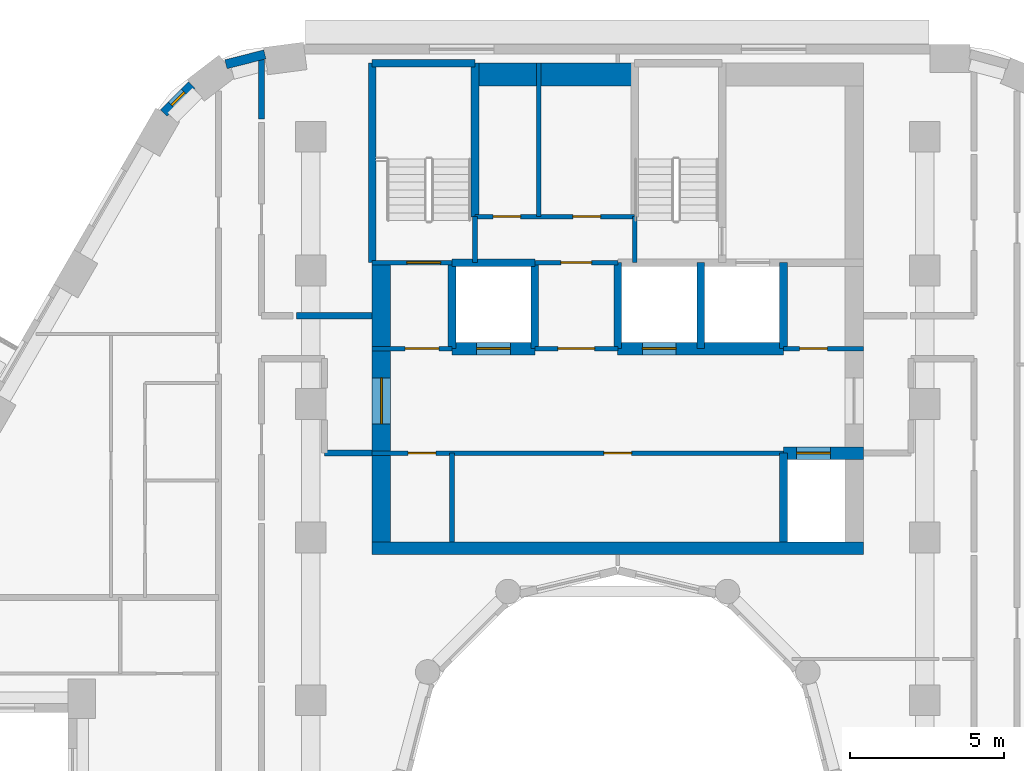
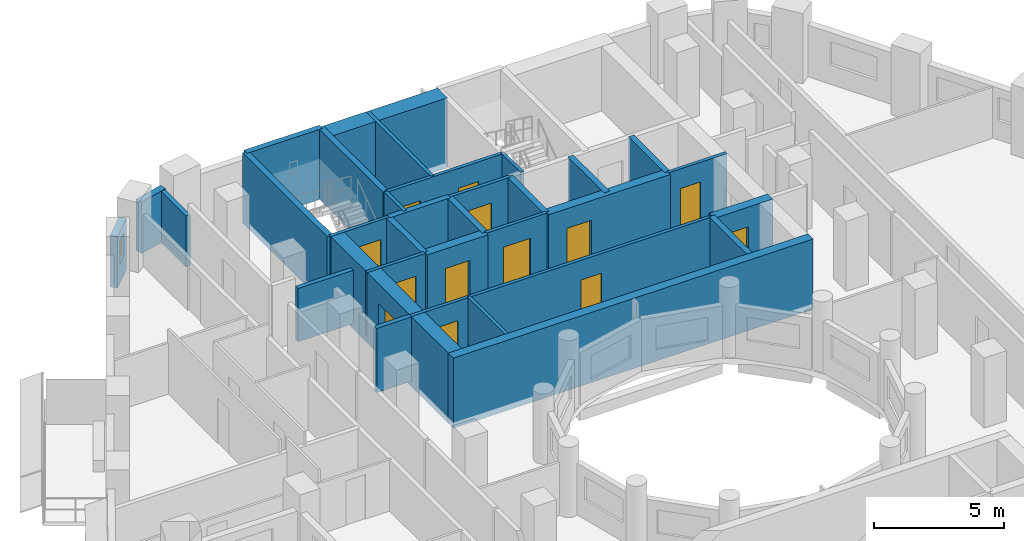
# One storey, part 7 of 13: 32 walls, 13 doors, 1 window, 14 openings.
"""IFC4 building model written with IfcOpenShell, lengths in metres."""

from ifc_helpers import new_model, si_unit, direction, frame, frame_2d, origin, place, context, subcontext, project, spatial, rectangle, extrude, material, layer, layer_set, type_object, element, fill, save


model = new_model("IFC4")

# Units and contexts
model_context = context("Model", 3, precision=1e-05, world=origin(), true_north=direction((0.0, 1.0)))
body_context = subcontext(model_context, "Body", "Model", "MODEL_VIEW")
ifc_project = project(units=[si_unit("LENGTHUNIT", "METRE"), si_unit("AREAUNIT", "SQUARE_METRE"), si_unit("VOLUMEUNIT", "CUBIC_METRE"), si_unit("PLANEANGLEUNIT", "RADIAN"), si_unit("MASSUNIT", "GRAM", prefix="KILO")], contexts=[model_context])

# Site, building, storey
site_placement = place(None, origin())
site = spatial("IfcSite", under=ifc_project, at=site_placement, CompositionType="ELEMENT")
building_placement = place(site_placement, origin())
building = spatial("IfcBuilding", under=site, at=building_placement, Name="Nakaniwa Court", CompositionType="ELEMENT")
storey_placement = place(building_placement, frame((0.0, 0.0, 133.800048828125)))
storey = spatial("IfcBuildingStorey", under=building, at=storey_placement, Name="L34", CompositionType="ELEMENT", Elevation=133.800048828125)

# Walls
ifc_material_1 = material(Name="Acoustic double stud partition")
ifc_layer_1 = layer(ifc_material_1, 0.199951171875)
ifc_layer_set_1 = layer_set([ifc_layer_1], Name="Acoustic double stud partition")
wall_type_1 = type_object("IfcWallType", Name="Acoustic double stud partition 200", PredefinedType="PARTITIONING", material=ifc_layer_set_1)
wall_1_placement = place(storey_placement, frame((70.449951171875, 90.699951171875, 0.0), z_axis=(0.0, 0.0, 1.0), x_axis=(1.0, 0.0, 0.0)))
element("IfcWall", 1, at=wall_1_placement, inside=storey, type_object=wall_type_1, Name="Partition PW-088", PredefinedType="PARTITIONING", context=body_context, shape_type="SweptSolid", body=[
    extrude(rectangle(XDim=1.550048828125, YDim=0.199951171875, at=frame_2d((0.77490234375, 0.0))), origin(), (0.0, 0.0, 1.0), 3.02490234375),
])
wall_2_placement = place(storey_placement, frame((69.537109375, 95.175048828125, 0.0), z_axis=(0.0, 0.0, 1.0), x_axis=(1.0, 0.0, 0.0)))
element("IfcWall", 2, at=wall_2_placement, inside=storey, type_object=wall_type_1, Name="Partition PW-091", PredefinedType="PARTITIONING", context=body_context, shape_type="SweptSolid", body=[
    extrude(rectangle(XDim=2.462890625, YDim=0.199951171875, at=frame_2d((1.2314453125, 0.0))), origin(), (0.0, 0.0, 1.0), 2.5048828125),
])
wall_3_placement = place(storey_placement, frame((68.39990234375, 101.5771484375, 0.0), z_axis=(0.0, 0.0, 1.0), x_axis=(0.0, 1.0, 0.0)))
element("IfcWall", 3, at=wall_3_placement, inside=storey, type_object=wall_type_1, Name="Partition PW-102", PredefinedType="PARTITIONING", context=body_context, shape_type="SweptSolid", body=[
    extrude(rectangle(XDim=2.02197265625, YDim=0.199951171875, at=frame_2d((1.010986328125, 0.0))), origin(), (0.0, 0.0, 1.0), 2.405029296875),
])
ifc_material_2 = material(Name="Charcoal ceramic cladding")
ifc_layer_2 = layer(ifc_material_2, 0.02, Name="Ceramic cladding")
ifc_material_3 = material(Name="Ventilated air cavity")
ifc_layer_3 = layer(ifc_material_3, 0.04, ventilated=True, Name="Ventilated cavity")
ifc_material_4 = material(Name="Mineral wool insulation")
ifc_layer_4 = layer(ifc_material_4, 0.1, Name="Insulation")
ifc_material_5 = material(Name="Cement bonded sheathing board")
ifc_layer_5 = layer(ifc_material_5, 0.012, Name="Sheathing")
ifc_material_6 = material(Name="Cold-formed galvanised stud frame with mineral wool infill")
ifc_layer_6 = layer(ifc_material_6, 0.1, Name="Stud frame")
ifc_material_7 = material(Name="Fire-rated gypsum plasterboard lining")
ifc_layer_7 = layer(ifc_material_7, 0.028, Name="Lining")
ifc_layer_set_2 = layer_set([ifc_layer_2, ifc_layer_3, ifc_layer_4, ifc_layer_5, ifc_layer_6, ifc_layer_7], Name="Charcoal ceramic faced external wall system")
wall_type_2 = type_object("IfcWallType", Name="Black ceramic faced external wall 300", PredefinedType="SOLIDWALL", material=ifc_layer_set_2)
wall_4_placement = place(storey_placement, frame((68.506103515625, 103.68310546875, 0.0), z_axis=(0.0, 0.0, 1.0), x_axis=(-0.96924493129, -0.246098076322, 0.0)))
element("IfcWall", 4, at=wall_4_placement, inside=storey, type_object=wall_type_2, Name="L34 external wall 09", PredefinedType="SOLIDWALL", context=body_context, shape_type="SweptSolid", body=[
    extrude(rectangle(XDim=1.305419921875, YDim=0.300048828125, at=frame_2d((0.65283203125, 0.0))), origin(), (0.0, 0.0, 1.0), 2.425048828125),
])

# Wall, opening, window
wall_5_placement = place(storey_placement, frame((66.12890625, 102.68798828125, 0.0), z_axis=(0.0, 0.0, 1.0), x_axis=(-0.70881270082, -0.705396735997, 0.0)))
wall_5 = element("IfcWall", 5, at=wall_5_placement, inside=storey, type_object=wall_type_2, Name="L34 external wall 10", PredefinedType="SOLIDWALL", context=body_context, shape_type="SweptSolid", body=[
    extrude(rectangle(XDim=1.286376953125, YDim=0.300048828125, at=frame_2d((0.64306640625, 0.0))), origin(), (0.0, 0.0, 1.0), 2.425048828125),
])
opening_1_placement = place(wall_5_placement, frame((0.3330078125, 0.0, 0.89990234375)))
opening_1 = element("IfcOpeningElement", 6, at=opening_1_placement, cuts=wall_5, Name="Opening W8.11", PredefinedType="OPENING", context=body_context, shape_type="SweptSolid", body=[
    extrude(rectangle(XDim=0.60009765625, YDim=1.10009765625, at=frame_2d((0.300048828125, 0.550048828125))), frame((0.0, 0.159912109375, 0.0), z_axis=(0.0, -1.0, 0.0), x_axis=(1.0, 0.0, 0.0)), (0.0, 0.0, 1.0), 0.320068359375),
])
ifc_material_8 = material(Name="Black anodised aluminium frame with dark low-E laminated double glazing", Category="aluminium")
window_type = type_object("IfcWindowType", Name="Dark glass window 600x1100 sill 900", PartitioningType="SINGLE_PANEL", PredefinedType="WINDOW", material=ifc_material_8)
window_placement = place(opening_1_placement, origin())
window = element("IfcWindow", 7, at=window_placement, inside=storey, type_object=window_type, Name="L34 habitable room window 10-0", OverallHeight=1.10009765625, OverallWidth=0.60009765625, PartitioningType="SINGLE_PANEL", PredefinedType="WINDOW", context=body_context, shape_type="SweptSolid", body=[
    extrude(rectangle(XDim=0.60009765625, YDim=1.10009765625, at=frame_2d((0.300048828125, 0.550048828125))), frame((0.0, 0.030029296875, 0.0), z_axis=(0.0, -1.0, 0.0), x_axis=(1.0, 0.0, 0.0)), (0.0, 0.0, 1.0), 0.06005859375),
])
fill(opening_1, window)

# Wall
ifc_material_9 = material(Name="Blockwork partition", Category="masonry")
ifc_layer_8 = layer(ifc_material_9, 0.14990234375)
ifc_layer_set_3 = layer_set([ifc_layer_8], Name="Blockwork partition")
wall_type_3 = type_object("IfcWallType", Name="Blockwork partition 150", PredefinedType="PARTITIONING", material=ifc_layer_set_3)
wall_6_placement = place(storey_placement, frame((74.60009765625, 87.800048828125, 0.0), z_axis=(0.0, 0.0, 1.0), x_axis=(0.0, 1.0, 0.0)))
element("IfcWall", 8, at=wall_6_placement, inside=storey, type_object=wall_type_3, Name="Partition PW-001", PredefinedType="PARTITIONING", context=body_context, shape_type="SweptSolid", body=[
    extrude(rectangle(XDim=2.89990234375, YDim=0.14990234375, at=frame_2d((1.449951171875, 0.0))), origin(), (0.0, 0.0, 1.0), 3.02490234375),
])

# Wall, openings, doors
wall_7_placement = place(storey_placement, frame((85.39990234375, 90.699951171875, 0.0), z_axis=(0.0, 0.0, 1.0), x_axis=(-1.0, 0.0, 0.0)))
wall_7 = element("IfcWall", 9, at=wall_7_placement, inside=storey, type_object=wall_type_3, Name="Partition PW-002", PredefinedType="PARTITIONING", context=body_context, shape_type="SweptSolid", body=[
    extrude(rectangle(XDim=13.39990234375, YDim=0.14990234375, at=frame_2d((6.699951171875, 0.0))), origin(), (0.0, 0.0, 1.0), 3.02490234375),
])
opening_2_placement = place(wall_7_placement, frame((11.324951171875, 0.0, 0.0)))
opening_2 = element("IfcOpeningElement", 10, at=opening_2_placement, cuts=wall_7, Name="Opening D-05-01", PredefinedType="OPENING", context=body_context, shape_type="SweptSolid", body=[
    extrude(rectangle(XDim=0.89990234375, YDim=2.10009765625, at=frame_2d((0.449951171875, 1.050048828125))), frame((0.0, 0.0849609375, 0.0), z_axis=(0.0, -1.0, 0.0), x_axis=(1.0, 0.0, 0.0)), (0.0, 0.0, 1.0), 0.169921875),
])
opening_3_placement = place(wall_7_placement, frame((4.949951171875, 0.0, 0.0)))
opening_3 = element("IfcOpeningElement", 11, at=opening_3_placement, cuts=wall_7, Name="Opening D-05-02", PredefinedType="OPENING", context=body_context, shape_type="SweptSolid", body=[
    extrude(rectangle(XDim=0.89990234375, YDim=2.10009765625, at=frame_2d((0.449951171875, 1.050048828125))), frame((0.0, 0.0849609375, 0.0), z_axis=(0.0, -1.0, 0.0), x_axis=(1.0, 0.0, 0.0)), (0.0, 0.0, 1.0), 0.169921875),
])
ifc_material_10 = material(Name="Fire rated steel door set", Category="steel")
door_type_1 = type_object("IfcDoorType", Name="Service room door 900", OperationType="NOTDEFINED", PredefinedType="DOOR", material=ifc_material_10)
door_1_placement = place(opening_2_placement, origin())
door_1 = element("IfcDoor", 12, at=door_1_placement, inside=storey, type_object=door_type_1, Name="Door D-05-01 L34-001", OperationType="SINGLE_SWING_RIGHT", OverallHeight=2.10009765625, OverallWidth=0.89990234375, PredefinedType="DOOR", context=body_context, shape_type="SweptSolid", body=[
    extrude(rectangle(XDim=0.89990234375, YDim=2.10009765625, at=frame_2d((0.449951171875, 1.050048828125))), frame((0.0, 0.02490234375, 0.0), z_axis=(0.0, -1.0, 0.0), x_axis=(1.0, 0.0, 0.0)), (0.0, 0.0, 1.0), 0.050048828125),
])
fill(opening_2, door_1)
door_2_placement = place(opening_3_placement, origin())
door_2 = element("IfcDoor", 13, at=door_2_placement, inside=storey, type_object=door_type_1, Name="Door D-05-02 L34-002", OperationType="SINGLE_SWING_LEFT", OverallHeight=2.10009765625, OverallWidth=0.89990234375, PredefinedType="DOOR", context=body_context, shape_type="SweptSolid", body=[
    extrude(rectangle(XDim=0.89990234375, YDim=2.10009765625, at=frame_2d((0.449951171875, 1.050048828125))), frame((0.0, 0.02490234375, 0.0), z_axis=(0.0, -1.0, 0.0), x_axis=(1.0, 0.0, 0.0)), (0.0, 0.0, 1.0), 0.050048828125),
])
fill(opening_3, door_2)

# Wall, opening, door
wall_8_placement = place(storey_placement, frame((72.0, 94.10009765625, 0.0), z_axis=(0.0, 0.0, 1.0), x_axis=(1.0, 0.0, 0.0)))
wall_8 = element("IfcWall", 14, at=wall_8_placement, inside=storey, type_object=wall_type_3, Name="Partition PW-008", PredefinedType="PARTITIONING", context=body_context, shape_type="SweptSolid", body=[
    extrude(rectangle(XDim=2.60302734375, YDim=0.14990234375, at=frame_2d((1.301513671875, 0.0))), origin(), (0.0, 0.0, 1.0), 3.02490234375),
])
opening_4_placement = place(wall_8_placement, frame((1.074951171875, 0.0, 0.0)))
opening_4 = element("IfcOpeningElement", 15, at=opening_4_placement, cuts=wall_8, Name="Opening D-08-01", PredefinedType="OPENING", context=body_context, shape_type="SweptSolid", body=[
    extrude(rectangle(XDim=1.10009765625, YDim=2.10009765625, at=frame_2d((0.550048828125, 1.050048828125))), frame((0.0, 0.0849609375, 0.0), z_axis=(0.0, -1.0, 0.0), x_axis=(1.0, 0.0, 0.0)), (0.0, 0.0, 1.0), 0.169921875),
])
door_type_2 = type_object("IfcDoorType", Name="Stair lobby door 1100", OperationType="NOTDEFINED", PredefinedType="DOOR", material=ifc_material_10)
door_3_placement = place(opening_4_placement, origin())
door_3 = element("IfcDoor", 16, at=door_3_placement, inside=storey, type_object=door_type_2, Name="Door D-08-01 L34-003", OperationType="SINGLE_SWING_RIGHT", OverallHeight=2.10009765625, OverallWidth=1.10009765625, PredefinedType="DOOR", context=body_context, shape_type="SweptSolid", body=[
    extrude(rectangle(XDim=1.10009765625, YDim=2.10009765625, at=frame_2d((0.550048828125, 1.050048828125))), frame((0.0, 0.02490234375, 0.0), z_axis=(0.0, -1.0, 0.0), x_axis=(1.0, 0.0, 0.0)), (0.0, 0.0, 1.0), 0.050048828125),
])
fill(opening_4, door_3)

wall_9_placement = place(storey_placement, frame((77.297119140625, 94.10009765625, 0.0), z_axis=(0.0, 0.0, 1.0), x_axis=(1.0, 0.0, 0.0)))
wall_9 = element("IfcWall", 17, at=wall_9_placement, inside=storey, type_object=wall_type_3, Name="Partition PW-009", PredefinedType="PARTITIONING", context=body_context, shape_type="SweptSolid", body=[
    extrude(rectangle(XDim=2.705810546875, YDim=0.14990234375, at=frame_2d((1.35302734375, 0.0))), origin(), (0.0, 0.0, 1.0), 3.02490234375),
])
opening_5_placement = place(wall_9_placement, frame((0.7529296875, 0.0, 0.0)))
opening_5 = element("IfcOpeningElement", 18, at=opening_5_placement, cuts=wall_9, Name="Opening D-06-01", PredefinedType="OPENING", context=body_context, shape_type="SweptSolid", body=[
    extrude(rectangle(XDim=1.199951171875, YDim=2.10009765625, at=frame_2d((0.60009765625, 1.050048828125))), frame((0.0, 0.0849609375, 0.0), z_axis=(0.0, -1.0, 0.0), x_axis=(1.0, 0.0, 0.0)), (0.0, 0.0, 1.0), 0.169921875),
])
ifc_material_11 = material(Name="Fire rated steel double door set", Category="steel")
door_type_3 = type_object("IfcDoorType", Name="Service passage double door 1200", OperationType="NOTDEFINED", PredefinedType="DOOR", material=ifc_material_11)
door_4_placement = place(opening_5_placement, origin())
door_4 = element("IfcDoor", 19, at=door_4_placement, inside=storey, type_object=door_type_3, Name="Door D-06-01 L34-004", OperationType="DOUBLE_DOOR_SINGLE_SWING", OverallHeight=2.10009765625, OverallWidth=1.199951171875, PredefinedType="DOOR", context=body_context, shape_type="SweptSolid", body=[
    extrude(rectangle(XDim=1.199951171875, YDim=2.10009765625, at=frame_2d((0.60009765625, 1.050048828125))), frame((0.0, 0.02490234375, 0.0), z_axis=(0.0, -1.0, 0.0), x_axis=(1.0, 0.0, 0.0)), (0.0, 0.0, 1.0), 0.050048828125),
])
fill(opening_5, door_4)

wall_10_placement = place(storey_placement, frame((85.39697265625, 94.10009765625, 0.0), z_axis=(0.0, 0.0, 1.0), x_axis=(1.0, 0.0, 0.0)))
wall_10 = element("IfcWall", 20, at=wall_10_placement, inside=storey, type_object=wall_type_3, Name="Partition PW-010", PredefinedType="PARTITIONING", context=body_context, shape_type="SweptSolid", body=[
    extrude(rectangle(XDim=2.60302734375, YDim=0.14990234375, at=frame_2d((1.301513671875, 0.0))), origin(), (0.0, 0.0, 1.0), 3.02490234375),
])
opening_6_placement = place(wall_10_placement, frame((0.528076171875, 0.0, 0.0)))
opening_6 = element("IfcOpeningElement", 21, at=opening_6_placement, cuts=wall_10, Name="Opening D-05-03", PredefinedType="OPENING", context=body_context, shape_type="SweptSolid", body=[
    extrude(rectangle(XDim=0.89990234375, YDim=2.10009765625, at=frame_2d((0.449951171875, 1.050048828125))), frame((0.0, 0.0849609375, 0.0), z_axis=(0.0, -1.0, 0.0), x_axis=(1.0, 0.0, 0.0)), (0.0, 0.0, 1.0), 0.169921875),
])
door_5_placement = place(opening_6_placement, origin())
door_5 = element("IfcDoor", 22, at=door_5_placement, inside=storey, type_object=door_type_1, Name="Door D-05-03 L34-005", OperationType="SINGLE_SWING_RIGHT", OverallHeight=2.10009765625, OverallWidth=0.89990234375, PredefinedType="DOOR", context=body_context, shape_type="SweptSolid", body=[
    extrude(rectangle(XDim=0.89990234375, YDim=2.10009765625, at=frame_2d((0.449951171875, 1.050048828125))), frame((0.0, 0.02490234375, 0.0), z_axis=(0.0, -1.0, 0.0), x_axis=(1.0, 0.0, 0.0)), (0.0, 0.0, 1.0), 0.050048828125),
])
fill(opening_6, door_5)

wall_11_placement = place(storey_placement, frame((77.300048828125, 96.89990234375, 0.0), z_axis=(0.0, 0.0, 1.0), x_axis=(1.0, 0.0, 0.0)))
wall_11 = element("IfcWall", 23, at=wall_11_placement, inside=storey, type_object=wall_type_3, Name="Partition PW-019", PredefinedType="PARTITIONING", context=body_context, shape_type="SweptSolid", body=[
    extrude(rectangle(XDim=2.699951171875, YDim=0.14990234375, at=frame_2d((1.35009765625, 0.0))), origin(), (0.0, 0.0, 1.0), 3.02490234375),
])
opening_7_placement = place(wall_11_placement, frame((0.85009765625, 0.0, 0.0)))
opening_7 = element("IfcOpeningElement", 24, at=opening_7_placement, cuts=wall_11, Name="Opening D-23-01", PredefinedType="OPENING", context=body_context, shape_type="SweptSolid", body=[
    extrude(rectangle(XDim=1.0, YDim=2.10009765625, at=frame_2d((0.5, 1.050048828125))), frame((0.0, 0.0849609375, 0.0), z_axis=(0.0, -1.0, 0.0), x_axis=(1.0, 0.0, 0.0)), (0.0, 0.0, 1.0), 0.169921875),
])
door_type_4 = type_object("IfcDoorType", Name="Service room door 1000", OperationType="NOTDEFINED", PredefinedType="DOOR", material=ifc_material_10)
door_6_placement = place(opening_7_placement, origin())
door_6 = element("IfcDoor", 25, at=door_6_placement, inside=storey, type_object=door_type_4, Name="Door D-23-01 L34-006", OperationType="SINGLE_SWING_LEFT", OverallHeight=2.10009765625, OverallWidth=1.0, PredefinedType="DOOR", context=body_context, shape_type="SweptSolid", body=[
    extrude(rectangle(XDim=1.0, YDim=2.10009765625, at=frame_2d((0.5, 1.050048828125))), frame((0.0, 0.02490234375, 0.0), z_axis=(0.0, -1.0, 0.0), x_axis=(1.0, 0.0, 0.0)), (0.0, 0.0, 1.0), 0.050048828125),
])
fill(opening_7, door_6)

# Wall, openings, doors
wall_12_placement = place(storey_placement, frame((75.35009765625, 98.39990234375, 0.0), z_axis=(0.0, 0.0, 1.0), x_axis=(1.0, 0.0, 0.0)))
wall_12 = element("IfcWall", 26, at=wall_12_placement, inside=storey, type_object=wall_type_3, Name="Partition PW-031", PredefinedType="PARTITIONING", context=body_context, shape_type="SweptSolid", body=[
    extrude(rectangle(XDim=5.199951171875, YDim=0.14990234375, at=frame_2d((2.60009765625, 0.0))), origin(), (0.0, 0.0, 1.0), 3.02490234375),
])
opening_8_placement = place(wall_12_placement, frame((0.590087890625, 0.0, 0.0)))
opening_8 = element("IfcOpeningElement", 27, at=opening_8_placement, cuts=wall_12, Name="Opening D-05-04", PredefinedType="OPENING", context=body_context, shape_type="SweptSolid", body=[
    extrude(rectangle(XDim=0.89990234375, YDim=2.10009765625, at=frame_2d((0.449951171875, 1.050048828125))), frame((0.0, 0.0849609375, 0.0), z_axis=(0.0, -1.0, 0.0), x_axis=(1.0, 0.0, 0.0)), (0.0, 0.0, 1.0), 0.169921875),
])
opening_9_placement = place(wall_12_placement, frame((3.18994140625, 0.0, 0.0)))
opening_9 = element("IfcOpeningElement", 28, at=opening_9_placement, cuts=wall_12, Name="Opening D-05-05", PredefinedType="OPENING", context=body_context, shape_type="SweptSolid", body=[
    extrude(rectangle(XDim=0.89990234375, YDim=2.10009765625, at=frame_2d((0.449951171875, 1.050048828125))), frame((0.0, 0.0849609375, 0.0), z_axis=(0.0, -1.0, 0.0), x_axis=(1.0, 0.0, 0.0)), (0.0, 0.0, 1.0), 0.169921875),
])
door_7_placement = place(opening_8_placement, origin())
door_7 = element("IfcDoor", 29, at=door_7_placement, inside=storey, type_object=door_type_1, Name="Door D-05-04 L34-007", OperationType="SINGLE_SWING_RIGHT", OverallHeight=2.10009765625, OverallWidth=0.89990234375, PredefinedType="DOOR", context=body_context, shape_type="SweptSolid", body=[
    extrude(rectangle(XDim=0.89990234375, YDim=2.10009765625, at=frame_2d((0.449951171875, 1.050048828125))), frame((0.0, 0.02490234375, 0.0), z_axis=(0.0, -1.0, 0.0), x_axis=(1.0, 0.0, 0.0)), (0.0, 0.0, 1.0), 0.050048828125),
])
fill(opening_8, door_7)
door_8_placement = place(opening_9_placement, origin())
door_8 = element("IfcDoor", 30, at=door_8_placement, inside=storey, type_object=door_type_1, Name="Door D-05-05 L34-008", OperationType="SINGLE_SWING_LEFT", OverallHeight=2.10009765625, OverallWidth=0.89990234375, PredefinedType="DOOR", context=body_context, shape_type="SweptSolid", body=[
    extrude(rectangle(XDim=0.89990234375, YDim=2.10009765625, at=frame_2d((0.449951171875, 1.050048828125))), frame((0.0, 0.02490234375, 0.0), z_axis=(0.0, -1.0, 0.0), x_axis=(1.0, 0.0, 0.0)), (0.0, 0.0, 1.0), 0.050048828125),
])
fill(opening_9, door_8)

# Wall
wall_13_placement = place(storey_placement, frame((77.429931640625, 98.39990234375, 0.0), z_axis=(0.0, 0.0, 1.0), x_axis=(0.0, 1.0, 0.0)))
element("IfcWall", 31, at=wall_13_placement, inside=storey, type_object=wall_type_3, Name="Partition PW-032", PredefinedType="PARTITIONING", context=body_context, shape_type="SweptSolid", body=[
    extrude(rectangle(XDim=5.0, YDim=0.14990234375, at=frame_2d((2.5, 0.0))), origin(), (0.0, 0.0, 1.0), 3.02490234375),
])

# Wall, opening, door
ifc_material_12 = material(Name="Concrete C80/100", Category="concrete")
ifc_layer_9 = layer(ifc_material_12, 0.60009765625)
ifc_layer_set_4 = layer_set([ifc_layer_9], Name="Concrete C80/100")
wall_type_4 = type_object("IfcWallType", Name="Concrete core side wall 600 C80", PredefinedType="SHEAR", material=ifc_layer_set_4)
wall_14_placement = place(storey_placement, frame((72.300048828125, 87.800048828125, -0.275146484375), z_axis=(0.0, 0.0, 1.0), x_axis=(0.0, 1.0, 0.0)))
wall_14 = element("IfcWall", 32, at=wall_14_placement, inside=storey, type_object=wall_type_4, Name="Core wall SW-03", PredefinedType="SHEAR", context=body_context, shape_type="SweptSolid", body=[
    extrude(rectangle(XDim=9.099853515625, YDim=0.60009765625, at=frame_2d((4.5498046875, 0.0))), origin(), (0.0, 0.0, 1.0), 3.300048828125),
])
opening_10_placement = place(wall_14_placement, frame((3.85205078125, 0.0, 0.27490234375)))
opening_10 = element("IfcOpeningElement", 33, at=opening_10_placement, cuts=wall_14, Name="Opening D-07-02", PredefinedType="OPENING", context=body_context, shape_type="SweptSolid", body=[
    extrude(rectangle(XDim=1.5, YDim=2.10009765625, at=frame_2d((0.75, 1.050048828125))), frame((0.0, 0.31005859375, 0.0), z_axis=(0.0, -1.0, 0.0), x_axis=(1.0, 0.0, 0.0)), (0.0, 0.0, 1.0), 0.6201171875),
])
ifc_material_13 = material(Name="Glazed fire rated steel double door set", Category="steel")
door_type_5 = type_object("IfcDoorType", Name="Lobby double door 1500", OperationType="NOTDEFINED", PredefinedType="DOOR", material=ifc_material_13)
door_9_placement = place(opening_10_placement, origin())
door_9 = element("IfcDoor", 34, at=door_9_placement, inside=storey, type_object=door_type_5, Name="Door D-07-02 L34-044", OperationType="DOUBLE_DOOR_SINGLE_SWING", OverallHeight=2.10009765625, OverallWidth=1.5, PredefinedType="DOOR", context=body_context, shape_type="SweptSolid", body=[
    extrude(rectangle(XDim=1.5, YDim=2.10009765625, at=frame_2d((0.75, 1.050048828125))), frame((0.0, 0.02490234375, 0.0), z_axis=(0.0, -1.0, 0.0), x_axis=(1.0, 0.0, 0.0)), (0.0, 0.0, 1.0), 0.050048828125),
])
fill(opening_10, door_9)

ifc_layer_10 = layer(ifc_material_12, 0.39990234375)
ifc_layer_set_5 = layer_set([ifc_layer_10], Name="Concrete C80/100")
wall_type_5 = type_object("IfcWallType", Name="Concrete core spine wall 400 C80", PredefinedType="SHEAR", material=ifc_layer_set_5)
wall_15_placement = place(storey_placement, frame((85.39990234375, 90.699951171875, -0.275146484375), z_axis=(0.0, 0.0, 1.0), x_axis=(1.0, 0.0, 0.0)))
wall_15 = element("IfcWall", 35, at=wall_15_placement, inside=storey, type_object=wall_type_5, Name="Core wall SW-06", PredefinedType="SHEAR", context=body_context, shape_type="SweptSolid", body=[
    extrude(rectangle(XDim=2.60009765625, YDim=0.39990234375, at=frame_2d((1.300048828125, 0.0))), origin(), (0.0, 0.0, 1.0), 3.300048828125),
])
opening_11_placement = place(wall_15_placement, frame((0.425048828125, 0.0, 0.27490234375)))
opening_11 = element("IfcOpeningElement", 36, at=opening_11_placement, cuts=wall_15, Name="Opening LD01", PredefinedType="OPENING", context=body_context, shape_type="SweptSolid", body=[
    extrude(rectangle(XDim=1.10009765625, YDim=2.10009765625, at=frame_2d((0.550048828125, 1.050048828125))), frame((0.0, 0.2099609375, 0.0), z_axis=(0.0, -1.0, 0.0), x_axis=(1.0, 0.0, 0.0)), (0.0, 0.0, 1.0), 0.419921875),
])
ifc_material_14 = material(Name="Stainless steel sliding lift landing door", Category="steel")
door_type_6 = type_object("IfcDoorType", Name="Lift landing door 1100", OperationType="NOTDEFINED", PredefinedType="DOOR", material=ifc_material_14)
door_10_placement = place(opening_11_placement, origin())
door_10 = element("IfcDoor", 37, at=door_10_placement, inside=storey, type_object=door_type_6, Name="Lift landing door LD01 L34-001", OperationType="SLIDING_TO_LEFT", OverallHeight=2.10009765625, OverallWidth=1.10009765625, PredefinedType="DOOR", context=body_context, shape_type="SweptSolid", body=[
    extrude(rectangle(XDim=1.10009765625, YDim=2.10009765625, at=frame_2d((0.550048828125, 1.050048828125))), frame((0.0, 0.02490234375, 0.0), z_axis=(0.0, -1.0, 0.0), x_axis=(1.0, 0.0, 0.0)), (0.0, 0.0, 1.0), 0.050048828125),
])
fill(opening_11, door_10)

wall_16_placement = place(storey_placement, frame((74.596923828125, 94.10009765625, -0.275146484375), z_axis=(0.0, 0.0, 1.0), x_axis=(1.0, 0.0, 0.0)))
wall_16 = element("IfcWall", 38, at=wall_16_placement, inside=storey, type_object=wall_type_5, Name="Core wall SW-11", PredefinedType="SHEAR", context=body_context, shape_type="SweptSolid", body=[
    extrude(rectangle(XDim=2.7060546875, YDim=0.39990234375, at=frame_2d((1.35302734375, 0.0))), origin(), (0.0, 0.0, 1.0), 3.300048828125),
])
opening_12_placement = place(wall_16_placement, frame((0.802978515625, 0.0, 0.27490234375)))
opening_12 = element("IfcOpeningElement", 39, at=opening_12_placement, cuts=wall_16, Name="Opening LD02", PredefinedType="OPENING", context=body_context, shape_type="SweptSolid", body=[
    extrude(rectangle(XDim=1.10009765625, YDim=2.10009765625, at=frame_2d((0.550048828125, 1.050048828125))), frame((0.0, 0.2099609375, 0.0), z_axis=(0.0, -1.0, 0.0), x_axis=(1.0, 0.0, 0.0)), (0.0, 0.0, 1.0), 0.419921875),
])
door_11_placement = place(opening_12_placement, origin())
door_11 = element("IfcDoor", 40, at=door_11_placement, inside=storey, type_object=door_type_6, Name="Lift landing door LD02 L34-002", OperationType="SLIDING_TO_LEFT", OverallHeight=2.10009765625, OverallWidth=1.10009765625, PredefinedType="DOOR", context=body_context, shape_type="SweptSolid", body=[
    extrude(rectangle(XDim=1.10009765625, YDim=2.10009765625, at=frame_2d((0.550048828125, 1.050048828125))), frame((0.0, 0.02490234375, 0.0), z_axis=(0.0, -1.0, 0.0), x_axis=(1.0, 0.0, 0.0)), (0.0, 0.0, 1.0), 0.050048828125),
])
fill(opening_12, door_11)

wall_17_placement = place(storey_placement, frame((79.9970703125, 94.10009765625, -0.275146484375), z_axis=(0.0, 0.0, 1.0), x_axis=(1.0, 0.0, 0.0)))
wall_17 = element("IfcWall", 41, at=wall_17_placement, inside=storey, type_object=wall_type_5, Name="Core wall SW-12", PredefinedType="SHEAR", context=body_context, shape_type="SweptSolid", body=[
    extrude(rectangle(XDim=5.406005859375, YDim=0.39990234375, at=frame_2d((2.703125, 0.0))), origin(), (0.0, 0.0, 1.0), 3.300048828125),
])
opening_13_placement = place(wall_17_placement, frame((0.802978515625, 0.0, 0.27490234375)))
opening_13 = element("IfcOpeningElement", 42, at=opening_13_placement, cuts=wall_17, Name="Opening LD03", PredefinedType="OPENING", context=body_context, shape_type="SweptSolid", body=[
    extrude(rectangle(XDim=1.10009765625, YDim=2.10009765625, at=frame_2d((0.550048828125, 1.050048828125))), frame((0.0, 0.2099609375, 0.0), z_axis=(0.0, -1.0, 0.0), x_axis=(1.0, 0.0, 0.0)), (0.0, 0.0, 1.0), 0.419921875),
])
door_12_placement = place(opening_13_placement, origin())
door_12 = element("IfcDoor", 43, at=door_12_placement, inside=storey, type_object=door_type_6, Name="Lift landing door LD03 L34-003", OperationType="SLIDING_TO_LEFT", OverallHeight=2.10009765625, OverallWidth=1.10009765625, PredefinedType="DOOR", context=body_context, shape_type="SweptSolid", body=[
    extrude(rectangle(XDim=1.10009765625, YDim=2.10009765625, at=frame_2d((0.550048828125, 1.050048828125))), frame((0.0, 0.02490234375, 0.0), z_axis=(0.0, -1.0, 0.0), x_axis=(1.0, 0.0, 0.0)), (0.0, 0.0, 1.0), 0.050048828125),
])
fill(opening_13, door_12)

ifc_layer_11 = layer(ifc_material_12, 0.14990234375)
ifc_layer_set_6 = layer_set([ifc_layer_11], Name="Concrete C80/100")
wall_type_6 = type_object("IfcWallType", Name="Concrete core wall 150 C80", PredefinedType="SHEAR", material=ifc_layer_set_6)
wall_18_placement = place(storey_placement, frame((74.60009765625, 96.89990234375, -0.275146484375), z_axis=(0.0, 0.0, 1.0), x_axis=(-1.0, 0.0, 0.0)))
wall_18 = element("IfcWall", 44, at=wall_18_placement, inside=storey, type_object=wall_type_6, Name="Core wall SW-14", PredefinedType="SHEAR", context=body_context, shape_type="SweptSolid", body=[
    extrude(rectangle(XDim=2.60009765625, YDim=0.14990234375, at=frame_2d((1.300048828125, 0.0))), origin(), (0.0, 0.0, 1.0), 3.300048828125),
])
opening_14_placement = place(wall_18_placement, frame((0.3701171875, 0.0, 0.27490234375)))
opening_14 = element("IfcOpeningElement", 45, at=opening_14_placement, cuts=wall_18, Name="Opening D-09-01", PredefinedType="OPENING", context=body_context, shape_type="SweptSolid", body=[
    extrude(rectangle(XDim=1.10009765625, YDim=2.10009765625, at=frame_2d((0.550048828125, 1.050048828125))), frame((0.0, 0.0849609375, 0.0), z_axis=(0.0, -1.0, 0.0), x_axis=(1.0, 0.0, 0.0)), (0.0, 0.0, 1.0), 0.169921875),
])
door_type_7 = type_object("IfcDoorType", Name="Stair door 1100", OperationType="NOTDEFINED", PredefinedType="DOOR", material=ifc_material_10)
door_13_placement = place(opening_14_placement, origin())
door_13 = element("IfcDoor", 46, at=door_13_placement, inside=storey, type_object=door_type_7, Name="Door D-09-01 L34-009", OperationType="SINGLE_SWING_LEFT", OverallHeight=2.10009765625, OverallWidth=1.10009765625, PredefinedType="DOOR", context=body_context, shape_type="SweptSolid", body=[
    extrude(rectangle(XDim=1.10009765625, YDim=2.10009765625, at=frame_2d((0.550048828125, 1.050048828125))), frame((0.0, 0.02490234375, 0.0), z_axis=(0.0, -1.0, 0.0), x_axis=(1.0, 0.0, 0.0)), (0.0, 0.0, 1.0), 0.050048828125),
])
fill(opening_14, door_13)

# Walls
for number, where, z_axis, x_axis, name in (
    (47, (75.35009765625, 96.89990234375, -0.275146484375), (0.0, 0.0, 1.0), (0.0, 1.0, 0.0), "Core wall SW-21"),
    (48, (80.550048828125, 96.89990234375, -0.275146484375), (0.0, 0.0, 1.0), (0.0, 1.0, 0.0), "Core wall SW-27"),
):
    element("IfcWall", number, at=place(storey_placement, frame(where, z_axis=z_axis, x_axis=x_axis)), inside=storey, type_object=wall_type_6, Name=name, PredefinedType="SHEAR", context=body_context, shape_type="SweptSolid", body=[
        extrude(rectangle(XDim=1.503173828125, YDim=0.14990234375, at=frame_2d((0.75146484375, 0.0))), origin(), (0.0, 0.0, 1.0), 3.300048828125),
    ])
ifc_layer_12 = layer(ifc_material_12, 0.25)
ifc_layer_set_7 = layer_set([ifc_layer_12], Name="Concrete C80/100")
wall_type_7 = type_object("IfcWallType", Name="Concrete core wall 250 C80", PredefinedType="SHEAR", material=ifc_layer_set_7)
wall_19_placement = place(storey_placement, frame((72.0, 103.39990234375, -0.275146484375), z_axis=(0.0, 0.0, 1.0), x_axis=(1.0, 0.0, 0.0)))
element("IfcWall", 49, at=wall_19_placement, inside=storey, type_object=wall_type_7, Name="Core wall SW-23", PredefinedType="SHEAR", context=body_context, shape_type="SweptSolid", body=[
    extrude(rectangle(XDim=3.35009765625, YDim=0.25, at=frame_2d((1.675048828125, 0.0))), origin(), (0.0, 0.0, 1.0), 3.300048828125),
])
wall_20_placement = place(storey_placement, frame((72.0, 96.89990234375, -0.275146484375), z_axis=(0.0, 0.0, 1.0), x_axis=(0.0, 1.0, 0.0)))
element("IfcWall", 50, at=wall_20_placement, inside=storey, type_object=wall_type_7, Name="Core wall SW-25", PredefinedType="SHEAR", context=body_context, shape_type="SweptSolid", body=[
    extrude(rectangle(XDim=6.5, YDim=0.25, at=frame_2d((3.25, 0.0))), origin(), (0.0, 0.0, 1.0), 3.300048828125),
])
ifc_layer_13 = layer(ifc_material_12, 0.75)
ifc_layer_set_8 = layer_set([ifc_layer_13], Name="Concrete C80/100")
wall_type_8 = type_object("IfcWallType", Name="Concrete core wall 750 C80", PredefinedType="SHEAR", material=ifc_layer_set_8)
wall_21_placement = place(storey_placement, frame((75.35009765625, 103.02490234375, -0.275146484375), z_axis=(0.0, 0.0, 1.0), x_axis=(1.0, 0.0, 0.0)))
element("IfcWall", 51, at=wall_21_placement, inside=storey, type_object=wall_type_8, Name="Core wall SW-29", PredefinedType="SHEAR", context=body_context, shape_type="SweptSolid", body=[
    extrude(rectangle(XDim=5.199951171875, YDim=0.75, at=frame_2d((2.60009765625, 0.0))), origin(), (0.0, 0.0, 1.0), 3.300048828125),
])
ifc_layer_14 = layer(ifc_material_12, 0.39990234375)
ifc_layer_set_9 = layer_set([ifc_layer_14], Name="Concrete C80/100")
wall_type_9 = type_object("IfcWallType", Name="Concrete core well wall 400 C80", PredefinedType="SHEAR", material=ifc_layer_set_9)
wall_22_placement = place(storey_placement, frame((72.00390625, 87.60009765625, -0.275146484375), z_axis=(0.0, 0.0, 1.0), x_axis=(1.0, 0.0, 0.0)))
element("IfcWall", 52, at=wall_22_placement, inside=storey, type_object=wall_type_9, Name="Core wall SW-128", PredefinedType="SHEAR", context=body_context, shape_type="SweptSolid", body=[
    extrude(rectangle(XDim=15.9921875, YDim=0.39990234375, at=frame_2d((7.99609375, 0.0))), origin(), (0.0, 0.0, 1.0), 3.300048828125),
])
ifc_layer_15 = layer(ifc_material_12, 0.25)
ifc_layer_set_10 = layer_set([ifc_layer_15], Name="Concrete C80/100")
wall_type_10 = type_object("IfcWallType", Name="Concrete shaft wall 250 C80", PredefinedType="SHEAR", material=ifc_layer_set_10)
wall_23_placement = place(storey_placement, frame((85.39990234375, 87.800048828125, -0.275146484375), z_axis=(0.0, 0.0, 1.0), x_axis=(0.0, 1.0, 0.0)))
element("IfcWall", 53, at=wall_23_placement, inside=storey, type_object=wall_type_10, Name="Core wall SW-04", PredefinedType="SHEAR", context=body_context, shape_type="SweptSolid", body=[
    extrude(rectangle(XDim=2.89990234375, YDim=0.25, at=frame_2d((1.449951171875, 0.0))), origin(), (0.0, 0.0, 1.0), 3.300048828125),
])
for number, where, z_axis, x_axis, name in (
    (54, (85.39990234375, 94.10009765625, -0.275146484375), (0.0, 0.0, 1.0), (0.0, 1.0, 0.0), "Core wall SW-05"),
    (55, (74.60009765625, 94.10009765625, -0.275146484375), (0.0, 0.0, 1.0), (0.0, 1.0, 0.0), "Core wall SW-13"),
    (56, (77.300048828125, 94.10009765625, -0.275146484375), (0.0, 0.0, 1.0), (0.0, 1.0, 0.0), "Core wall SW-15"),
):
    element("IfcWall", number, at=place(storey_placement, frame(where, z_axis=z_axis, x_axis=x_axis)), inside=storey, type_object=wall_type_10, Name=name, PredefinedType="SHEAR", context=body_context, shape_type="SweptSolid", body=[
        extrude(rectangle(XDim=2.7998046875, YDim=0.25, at=frame_2d((1.39990234375, 0.0))), origin(), (0.0, 0.0, 1.0), 3.300048828125),
    ])
wall_24_placement = place(storey_placement, frame((74.60009765625, 96.89990234375, -0.275146484375), z_axis=(0.0, 0.0, 1.0), x_axis=(1.0, 0.0, 0.0)))
element("IfcWall", 57, at=wall_24_placement, inside=storey, type_object=wall_type_10, Name="Core wall SW-16", PredefinedType="SHEAR", context=body_context, shape_type="SweptSolid", body=[
    extrude(rectangle(XDim=2.699951171875, YDim=0.25, at=frame_2d((1.35009765625, 0.0))), origin(), (0.0, 0.0, 1.0), 3.300048828125),
])
for number, where, z_axis, x_axis, name in (
    (58, (80.0, 94.10009765625, -0.275146484375), (0.0, 0.0, 1.0), (0.0, 1.0, 0.0), "Core wall SW-18"),
    (59, (82.699951171875, 94.10009765625, -0.275146484375), (0.0, 0.0, 1.0), (0.0, 1.0, 0.0), "Core wall SW-20"),
):
    element("IfcWall", number, at=place(storey_placement, frame(where, z_axis=z_axis, x_axis=x_axis)), inside=storey, type_object=wall_type_10, Name=name, PredefinedType="SHEAR", context=body_context, shape_type="SweptSolid", body=[
        extrude(rectangle(XDim=2.7998046875, YDim=0.25, at=frame_2d((1.39990234375, 0.0))), origin(), (0.0, 0.0, 1.0), 3.300048828125),
    ])
wall_25_placement = place(storey_placement, frame((75.35009765625, 98.39697265625, -0.275146484375), z_axis=(0.0, 0.0, 1.0), x_axis=(0.0, 1.0, 0.0)))
element("IfcWall", 60, at=wall_25_placement, inside=storey, type_object=wall_type_10, Name="Core wall SW-22", PredefinedType="SHEAR", context=body_context, shape_type="SweptSolid", body=[
    extrude(rectangle(XDim=5.0029296875, YDim=0.25, at=frame_2d((2.50146484375, 0.0))), origin(), (0.0, 0.0, 1.0), 3.300048828125),
])

save(model, "model.ifc")
